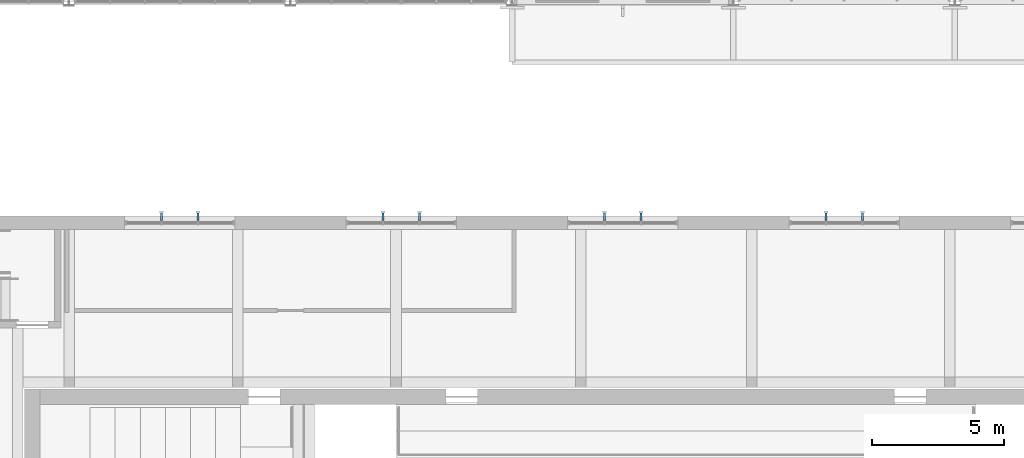
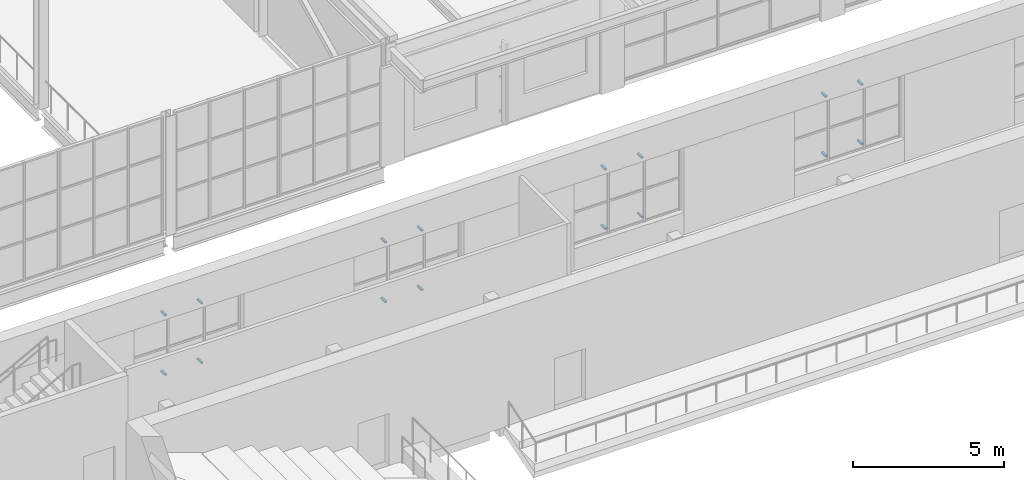
# One storey, part 93 of 116: 16 discrete accessories.
"""IFC4 building model written with IfcOpenShell, lengths in metres."""

from ifc_helpers import new_model, si_unit, direction, frame, origin, origin_2d, place, context, subcontext, project, spatial, rectangle, extrude, material, type_object, element, save


model = new_model("IFC4")

# Units and contexts
model_context = context("Model", 3, precision=1e-05, world=origin(), true_north=direction((0.0, 1.0)))
body_context = subcontext(model_context, "Body", "Model", "MODEL_VIEW")
ifc_project = project(units=[si_unit("LENGTHUNIT", "METRE"), si_unit("AREAUNIT", "SQUARE_METRE"), si_unit("VOLUMEUNIT", "CUBIC_METRE"), si_unit("PLANEANGLEUNIT", "RADIAN"), si_unit("MASSUNIT", "GRAM", prefix="KILO")], contexts=[model_context])

# Site, building, storey
site_placement = place(None, origin())
site = spatial("IfcSite", under=ifc_project, at=site_placement, CompositionType="ELEMENT")
building_placement = place(site_placement, origin())
building = spatial("IfcBuilding", under=site, at=building_placement, Name="Ljudholm Concert House", CompositionType="ELEMENT")
storey_placement = place(building_placement, frame((0.0, 0.0, 10.199951171875)))
storey = spatial("IfcBuildingStorey", under=building, at=storey_placement, Name="L02", CompositionType="ELEMENT", Elevation=10.199951171875)

# Discrete accessories
ifc_material = material(Name="Stainless steel bracket", Category="steel")
discrete_accessory_type = type_object("IfcDiscreteAccessoryType", Name="BRACKET 290", PredefinedType="BRACKET", material=ifc_material)
for number, where, z_axis, x_axis, name in (
    (1, (41.110107421875, 96.625, 0.969970703125), (0.0, 0.0, 1.0), (0.0, 1.0, 0.0), "Fin bracket"),
    (2, (41.110107421875, 96.625, 3.3701171875), (0.0, 0.0, 1.0), (0.0, 1.0, 0.0), "Fin bracket"),
    (3, (42.489990234375, 96.625, 0.969970703125), (0.0, 0.0, 1.0), (0.0, 1.0, 0.0), "Fin bracket"),
    (4, (42.489990234375, 96.625, 3.3701171875), (0.0, 0.0, 1.0), (0.0, 1.0, 0.0), "Fin bracket"),
    (5, (49.510009765625, 96.625, 0.969970703125), (0.0, 0.0, 1.0), (0.0, 1.0, 0.0), "Fin bracket"),
    (6, (49.510009765625, 96.625, 3.3701171875), (0.0, 0.0, 1.0), (0.0, 1.0, 0.0), "Fin bracket"),
    (7, (50.889892578125, 96.625, 0.969970703125), (0.0, 0.0, 1.0), (0.0, 1.0, 0.0), "Fin bracket"),
    (8, (50.889892578125, 96.625, 3.3701171875), (0.0, 0.0, 1.0), (0.0, 1.0, 0.0), "Fin bracket"),
    (9, (57.909912109375, 96.625, 0.969970703125), (0.0, 0.0, 1.0), (0.0, 1.0, 0.0), "Fin bracket"),
    (10, (57.909912109375, 96.625, 3.3701171875), (0.0, 0.0, 1.0), (0.0, 1.0, 0.0), "Fin bracket"),
    (11, (59.2900390625, 96.625, 0.969970703125), (0.0, 0.0, 1.0), (0.0, 1.0, 0.0), "Fin bracket"),
    (12, (59.2900390625, 96.625, 3.3701171875), (0.0, 0.0, 1.0), (0.0, 1.0, 0.0), "Fin bracket"),
    (13, (66.31005859375, 96.625, 0.969970703125), (0.0, 0.0, 1.0), (0.0, 1.0, 0.0), "Fin bracket"),
    (14, (66.31005859375, 96.625, 3.3701171875), (0.0, 0.0, 1.0), (0.0, 1.0, 0.0), "Fin bracket"),
    (15, (67.68994140625, 96.625, 0.969970703125), (0.0, 0.0, 1.0), (0.0, 1.0, 0.0), "Fin bracket"),
    (16, (67.68994140625, 96.625, 3.3701171875), (0.0, 0.0, 1.0), (0.0, 1.0, 0.0), "Fin bracket"),
):
    element("IfcDiscreteAccessory", number, at=place(storey_placement, frame(where, z_axis=z_axis, x_axis=x_axis)), inside=storey, type_object=discrete_accessory_type, Name=name, PredefinedType="BRACKET", context=body_context, shape_type="SweptSolid", body=[
        extrude(rectangle(XDim=0.2900390625, YDim=0.080078125, at=origin_2d()), origin(), (0.0, 0.0, 1.0), 0.06005859375),
    ])

save(model, "model.ifc")
